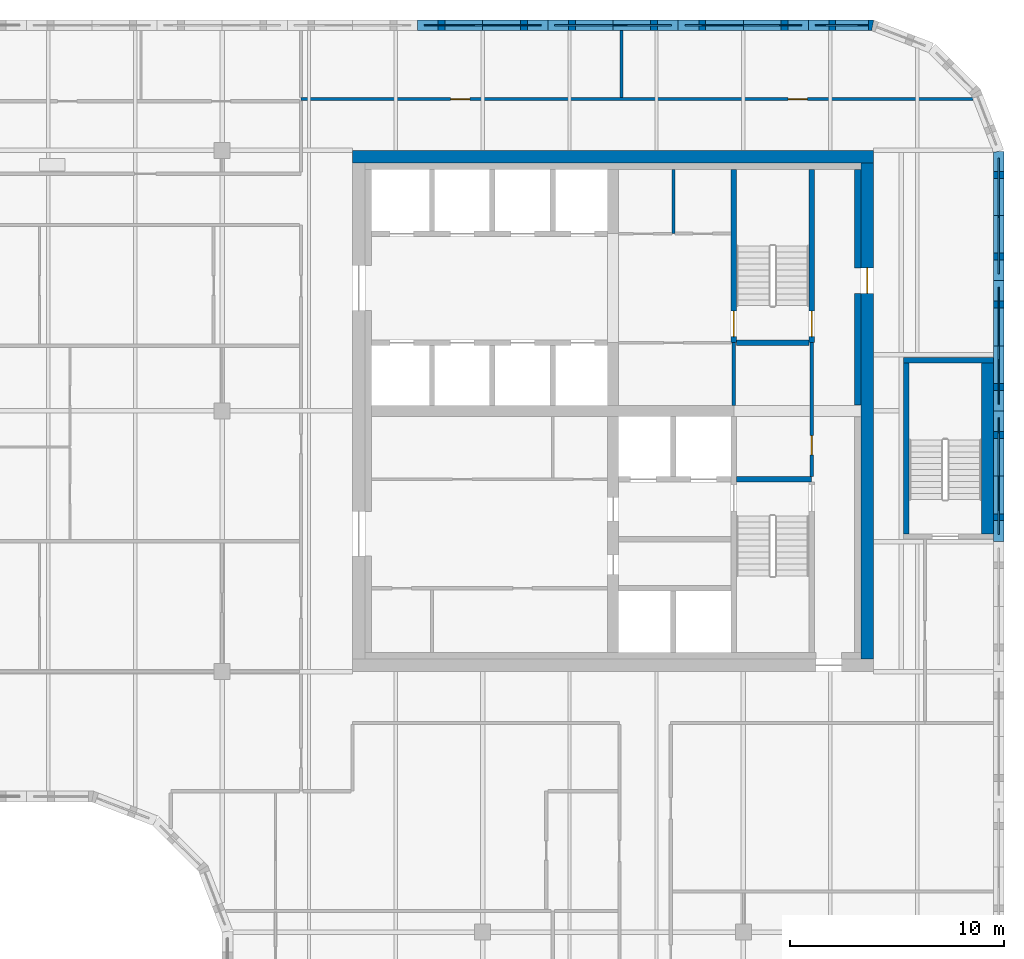
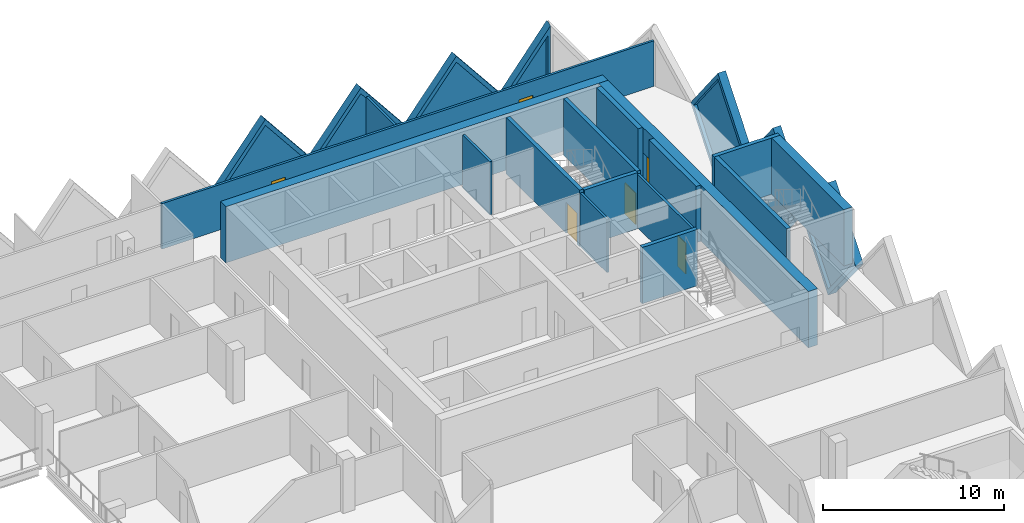
# One storey, part 9 of 12: 23 walls, 7 plates, 6 doors, 13 openings.
"""IFC4 building model written with IfcOpenShell, lengths in metres."""

from ifc_helpers import new_model, si_unit, direction, frame, frame_2d, origin, place, context, subcontext, project, spatial, polyline, rectangle, outline, extrude, faceted_brep, source, transform, mapped, material, layer, layer_set, type_object, element, fill, save


model = new_model("IFC4")

# Units and contexts
model_context = context("Model", 3, precision=1e-05, world=origin(), true_north=direction((0.0, 1.0)))
body_context = subcontext(model_context, "Body", "Model", "MODEL_VIEW")
ifc_project = project(units=[si_unit("LENGTHUNIT", "METRE"), si_unit("AREAUNIT", "SQUARE_METRE"), si_unit("VOLUMEUNIT", "CUBIC_METRE"), si_unit("PLANEANGLEUNIT", "RADIAN"), si_unit("MASSUNIT", "GRAM", prefix="KILO")], contexts=[model_context])

# Site, building, storey
site_placement = place(None, origin())
site = spatial("IfcSite", under=ifc_project, at=site_placement, CompositionType="ELEMENT")
building_placement = place(site_placement, origin())
building = spatial("IfcBuilding", under=site, at=building_placement, Name="Tessera Gate Towers", CompositionType="ELEMENT")
storey_placement = place(building_placement, frame((0.0, 0.0, 163.0)))
storey = spatial("IfcBuildingStorey", under=building, at=storey_placement, Name="L40", CompositionType="ELEMENT", Elevation=163.0)

# Wall
ifc_material_1 = material(Name="Concrete C40/50", Category="concrete")
ifc_layer_1 = layer(ifc_material_1, 0.25)
ifc_layer_set_1 = layer_set([ifc_layer_1], Name="CORE ENCLOSURE WALL 250")
wall_type_1 = type_object("IfcWallType", Name="CORE ENCLOSURE WALL 250", PredefinedType="SOLIDWALL", material=ifc_layer_set_1)
wall_1_placement = place(storey_placement, frame((48.47509765625, 33.39990234375, 0.0), z_axis=(0.0, 0.0, 1.0), x_axis=(1.0, 0.0, 0.0)))
element("IfcWall", 1, at=wall_1_placement, inside=storey, type_object=wall_type_1, Name="L40 shaft and stair enclosure wall", PredefinedType="SOLIDWALL", context=body_context, shape_type="SweptSolid", body=[
    extrude(rectangle(XDim=3.52490234375, YDim=0.25, at=frame_2d((1.762451171875, 0.0))), origin(), (0.0, 0.0, 1.0), 3.800048828125),
])

# Wall, opening, door
wall_2_placement = place(storey_placement, frame((48.35009765625, 47.89990234375, 0.0), z_axis=(0.0, 0.0, 1.0), x_axis=(0.0, -1.0, 0.0)))
wall_2 = element("IfcWall", 2, at=wall_2_placement, inside=storey, type_object=wall_type_1, Name="L40 shaft and stair enclosure wall", PredefinedType="SOLIDWALL", context=body_context, shape_type="SweptSolid", body=[
    extrude(rectangle(XDim=8.099853515625, YDim=0.25, at=frame_2d((4.0498046875, 0.0))), origin(), (0.0, 0.0, 1.0), 3.800048828125),
])
shared_shape_1 = source(origin(), body_context, "Body", "SweptSolid", [
    extrude(rectangle(XDim=1.199951171875, YDim=2.10009765625, at=frame_2d((0.60009765625, 1.050048828125))), frame((0.0, 0.135009765625, 0.0), z_axis=(0.0, -1.0, 0.0), x_axis=(1.0, 0.0, 0.0)), (0.0, 0.0, 1.0), 0.27001953125),
])
opening_1_placement = place(wall_2_placement, frame((6.625, 0.0, 0.0)))
opening_1 = element("IfcOpeningElement", 3, at=opening_1_placement, cuts=wall_2, Name="Opening SD-ST2-1", PredefinedType="OPENING", context=body_context, shape_type="MappedRepresentation", body=[
    mapped(shared_shape_1, transform((0.0, 0.0, 0.0), scale=1.0)),
])
ifc_material_2 = material(Name="Hollow steel fire door", Category="steel")
door_type_1 = type_object("IfcDoorType", Name="CORE DOOR SD 1200x2100", OperationType="NOTDEFINED", PredefinedType="DOOR", material=ifc_material_2)
shared_shape_2 = source(origin(), body_context, "Body", "SweptSolid", [
    extrude(rectangle(XDim=1.199951171875, YDim=2.10009765625, at=frame_2d((0.60009765625, 1.050048828125))), frame((0.0, 0.02490234375, 0.0), z_axis=(0.0, -1.0, 0.0), x_axis=(1.0, 0.0, 0.0)), (0.0, 0.0, 1.0), 0.050048828125),
])
door_1_placement = place(opening_1_placement, origin())
door_1 = element("IfcDoor", 4, at=door_1_placement, inside=storey, type_object=door_type_1, Name="Stair door", OperationType="SINGLE_SWING_RIGHT", OverallHeight=2.10009765625, OverallWidth=1.199951171875, PredefinedType="DOOR", context=body_context, shape_type="MappedRepresentation", body=[
    mapped(shared_shape_2, transform((0.0, 0.0, 0.0), scale=1.0)),
])
fill(opening_1, door_1)

wall_3_placement = place(storey_placement, frame((52.0, 39.800048828125, 0.0), z_axis=(0.0, 0.0, 1.0), x_axis=(0.0, 1.0, 0.0)))
wall_3 = element("IfcWall", 5, at=wall_3_placement, inside=storey, type_object=wall_type_1, Name="L40 shaft and stair enclosure wall", PredefinedType="SOLIDWALL", context=body_context, shape_type="SweptSolid", body=[
    extrude(rectangle(XDim=8.099853515625, YDim=0.25, at=frame_2d((4.0498046875, 0.0))), origin(), (0.0, 0.0, 1.0), 3.800048828125),
])
opening_2_placement = place(wall_3_placement, frame((0.27490234375, 0.0, 0.0)))
opening_2 = element("IfcOpeningElement", 6, at=opening_2_placement, cuts=wall_3, Name="Opening SD-ST2-2", PredefinedType="OPENING", context=body_context, shape_type="MappedRepresentation", body=[
    mapped(shared_shape_1, transform((0.0, 0.0, 0.0), scale=1.0)),
])
door_2_placement = place(opening_2_placement, origin())
door_2 = element("IfcDoor", 7, at=door_2_placement, inside=storey, type_object=door_type_1, Name="Stair door", OperationType="SINGLE_SWING_LEFT", OverallHeight=2.10009765625, OverallWidth=1.199951171875, PredefinedType="DOOR", context=body_context, shape_type="MappedRepresentation", body=[
    mapped(shared_shape_2, transform((0.0, 0.0, 0.0), scale=1.0)),
])
fill(opening_2, door_2)

# Walls
wall_4_placement = place(storey_placement, frame((48.47509765625, 39.800048828125, 0.0), z_axis=(0.0, 0.0, 1.0), x_axis=(1.0, 0.0, 0.0)))
element("IfcWall", 8, at=wall_4_placement, inside=storey, type_object=wall_type_1, Name="L40 shaft and stair enclosure wall", PredefinedType="SOLIDWALL", context=body_context, shape_type="SweptSolid", body=[
    extrude(rectangle(XDim=3.39990234375, YDim=0.25, at=frame_2d((1.699951171875, 0.0))), origin(), (0.0, 0.0, 1.0), 3.800048828125),
])
wall_5_placement = place(storey_placement, frame((56.425048828125, 30.85009765625, 0.0), z_axis=(0.0, 0.0, 1.0), x_axis=(0.0, 1.0, 0.0)))
element("IfcWall", 9, at=wall_5_placement, inside=storey, type_object=wall_type_1, Name="L40 ST5 enclosure wall", PredefinedType="SOLIDWALL", context=body_context, shape_type="SweptSolid", body=[
    extrude(rectangle(XDim=8.0, YDim=0.25, at=frame_2d((4.0, 0.0))), origin(), (0.0, 0.0, 1.0), 3.800048828125),
])
wall_6_placement = place(storey_placement, frame((56.300048828125, 38.97509765625, 0.0), z_axis=(0.0, 0.0, 1.0), x_axis=(1.0, 0.0, 0.0)))
element("IfcWall", 10, at=wall_6_placement, inside=storey, type_object=wall_type_1, Name="L40 ST5 enclosure wall", PredefinedType="SOLIDWALL", context=body_context, shape_type="SweptSolid", body=[
    extrude(rectangle(XDim=4.199951171875, YDim=0.25, at=frame_2d((2.10009765625, 0.0))), origin(), (0.0, 0.0, 1.0), 3.800048828125),
])
ifc_material_3 = material(Name="Concrete C40/50", Category="concrete")
ifc_layer_2 = layer(ifc_material_3, 0.550048828125)
ifc_layer_set_2 = layer_set([ifc_layer_2], Name="CORE ENCLOSURE WALL 550")
wall_type_2 = type_object("IfcWallType", Name="CORE ENCLOSURE WALL 550", PredefinedType="SOLIDWALL", material=ifc_layer_set_2)
wall_7_placement = place(storey_placement, frame((60.22509765625, 38.85009765625, 0.0), z_axis=(0.0, 0.0, 1.0), x_axis=(0.0, -1.0, 0.0)))
element("IfcWall", 11, at=wall_7_placement, inside=storey, type_object=wall_type_2, Name="L40 ST5 enclosure wall", PredefinedType="SOLIDWALL", context=body_context, shape_type="SweptSolid", body=[
    extrude(rectangle(XDim=8.0, YDim=0.550048828125, at=frame_2d((4.0, 0.0))), origin(), (0.0, 0.0, 1.0), 3.800048828125),
])
ifc_material_4 = material(Name="Concrete C50/60", Category="concrete")
ifc_layer_3 = layer(ifc_material_4, 0.60009765625)
ifc_layer_set_3 = layer_set([ifc_layer_3], Name="CORE SHEAR WALL 600 C50/60")
wall_type_3 = type_object("IfcWallType", Name="CORE SHEAR WALL 600 C50/60", PredefinedType="SHEAR", material=ifc_layer_set_3)
wall_8_placement = place(storey_placement, frame((30.5, 48.5, 0.0), z_axis=(0.0, 0.0, 1.0), x_axis=(1.0, 0.0, 0.0)))
element("IfcWall", 12, at=wall_8_placement, inside=storey, type_object=wall_type_3, Name="Core wall N L40", PredefinedType="SHEAR", context=body_context, shape_type="SweptSolid", body=[
    extrude(rectangle(XDim=24.39990234375, YDim=0.60009765625, at=frame_2d((12.199951171875, 0.0))), origin(), (0.0, 0.0, 1.0), 3.800048828125),
])

# Wall, opening, door
wall_9_placement = place(storey_placement, frame((54.60009765625, 48.199951171875, 0.0), z_axis=(0.0, 0.0, 1.0), x_axis=(0.0, -1.0, 0.0)))
wall_9 = element("IfcWall", 13, at=wall_9_placement, inside=storey, type_object=wall_type_3, Name="Core wall E L40", PredefinedType="SHEAR", context=body_context, shape_type="SweptSolid", body=[
    extrude(rectangle(XDim=23.199951171875, YDim=0.60009765625, at=frame_2d((11.60009765625, 0.0))), origin(), (0.0, 0.0, 1.0), 3.800048828125),
])
shared_shape_3 = source(origin(), body_context, "Body", "SweptSolid", [
    extrude(rectangle(XDim=1.199951171875, YDim=2.10009765625, at=frame_2d((0.60009765625, 1.050048828125))), frame((0.0, 0.31005859375, 0.0), z_axis=(0.0, -1.0, 0.0), x_axis=(1.0, 0.0, 0.0)), (0.0, 0.0, 1.0), 0.6201171875),
])
opening_3_placement = place(wall_9_placement, frame((4.89990234375, 0.0, 0.0)))
opening_3 = element("IfcOpeningElement", 14, at=opening_3_placement, cuts=wall_9, Name="Opening ED-T1-26-04", PredefinedType="OPENING", context=body_context, shape_type="MappedRepresentation", body=[
    mapped(shared_shape_3, transform((0.0, 0.0, 0.0), scale=1.0)),
])
ifc_material_5 = material(Name="Hollow steel fire door", Category="steel")
door_type_2 = type_object("IfcDoorType", Name="CORE DOOR ED 1200x2100", OperationType="NOTDEFINED", PredefinedType="DOOR", material=ifc_material_5)
door_3_placement = place(opening_3_placement, origin())
door_3 = element("IfcDoor", 15, at=door_3_placement, inside=storey, type_object=door_type_2, Name="Core exit door", OperationType="SINGLE_SWING_LEFT", OverallHeight=2.10009765625, OverallWidth=1.199951171875, PredefinedType="DOOR", context=body_context, shape_type="MappedRepresentation", body=[
    mapped(shared_shape_2, transform((0.0, 0.0, 0.0), scale=1.0)),
])
fill(opening_3, door_3)

# Walls
ifc_material_6 = material(Name="Concrete C50/60", Category="concrete")
ifc_layer_4 = layer(ifc_material_6, 0.300048828125)
ifc_layer_set_4 = layer_set([ifc_layer_4], Name="CORE WALL THICKENING 300")
wall_type_4 = type_object("IfcWallType", Name="CORE WALL THICKENING 300", PredefinedType="SOLIDWALL", material=ifc_layer_set_4)
wall_10_placement = place(storey_placement, frame((54.14990234375, 36.8798828125, 0.0), z_axis=(0.0, 0.0, 1.0), x_axis=(0.0, 1.0, 0.0)))
element("IfcWall", 16, at=wall_10_placement, inside=storey, type_object=wall_type_4, Name="Core wall thickening E L40", PredefinedType="SOLIDWALL", context=body_context, shape_type="SweptSolid", body=[
    extrude(rectangle(XDim=5.22021484375, YDim=0.300048828125, at=frame_2d((2.610107421875, 0.0))), origin(), (0.0, 0.0, 1.0), 3.800048828125),
])
wall_11_placement = place(storey_placement, frame((54.14990234375, 43.300048828125, 0.0), z_axis=(0.0, 0.0, 1.0), x_axis=(0.0, 1.0, 0.0)))
element("IfcWall", 17, at=wall_11_placement, inside=storey, type_object=wall_type_4, Name="Core wall thickening E L40", PredefinedType="SOLIDWALL", context=body_context, shape_type="SweptSolid", body=[
    extrude(rectangle(XDim=4.599853515625, YDim=0.300048828125, at=frame_2d((2.2998046875, 0.0))), origin(), (0.0, 0.0, 1.0), 3.800048828125),
])

# Wall, openings, doors
ifc_material_7 = material(Name="Gypsum board on steel studs, mineral wool", Category="steel")
ifc_layer_5 = layer(ifc_material_7, 0.14990234375)
ifc_layer_set_5 = layer_set([ifc_layer_5], Name="CORRIDOR WALL 150")
wall_type_5 = type_object("IfcWallType", Name="CORRIDOR WALL 150", PredefinedType="PARTITIONING", material=ifc_layer_set_5)
wall_12_placement = place(storey_placement, frame((28.10009765625, 51.199951171875, 0.0), z_axis=(0.0, 0.0, 1.0), x_axis=(1.0, 0.0, 0.0)))
wall_12 = element("IfcWall", 18, at=wall_12_placement, inside=storey, type_object=wall_type_5, Name="T1-L40-PW-048", PredefinedType="PARTITIONING", context=body_context, shape_type="SweptSolid", body=[
    extrude(rectangle(XDim=31.438232421875, YDim=0.14990234375, at=frame_2d((15.71923828125, 0.0))), origin(), (0.0, 0.0, 1.0), 3.06689453125),
])
shared_shape_4 = source(origin(), body_context, "Body", "SweptSolid", [
    extrude(rectangle(XDim=0.89990234375, YDim=2.10009765625, at=frame_2d((0.449951171875, 1.050048828125))), frame((0.0, 0.0849609375, 0.0), z_axis=(0.0, -1.0, 0.0), x_axis=(1.0, 0.0, 0.0)), (0.0, 0.0, 1.0), 0.169921875),
])
opening_4_placement = place(wall_12_placement, frame((7.0, 0.0, 0.0)))
opening_4 = element("IfcOpeningElement", 19, at=opening_4_placement, cuts=wall_12, Name="Opening D890FD60-A14-04", PredefinedType="OPENING", context=body_context, shape_type="MappedRepresentation", body=[
    mapped(shared_shape_4, transform((0.0, 0.0, 0.0), scale=1.0)),
])
opening_5_placement = place(wall_12_placement, frame((22.800048828125, 0.0, 0.0)))
opening_5 = element("IfcOpeningElement", 20, at=opening_5_placement, cuts=wall_12, Name="Opening D890FD60-A14-05", PredefinedType="OPENING", context=body_context, shape_type="MappedRepresentation", body=[
    mapped(shared_shape_4, transform((0.0, 0.0, 0.0), scale=1.0)),
])
ifc_material_8 = material(Name="Timber door leaf in steel frame", Category="steel")
door_type_3 = type_object("IfcDoorType", Name="CORRIDOR DOOR 900 FD60", OperationType="NOTDEFINED", PredefinedType="DOOR", material=ifc_material_8)
shared_shape_5 = source(origin(), body_context, "Body", "SweptSolid", [
    extrude(rectangle(XDim=0.89990234375, YDim=2.10009765625, at=frame_2d((0.449951171875, 1.050048828125))), frame((0.0, 0.02490234375, 0.0), z_axis=(0.0, -1.0, 0.0), x_axis=(1.0, 0.0, 0.0)), (0.0, 0.0, 1.0), 0.050048828125),
])
door_4_placement = place(opening_4_placement, origin())
door_4 = element("IfcDoor", 21, at=door_4_placement, inside=storey, type_object=door_type_3, Name="T1-L40-PD-027", OperationType="SINGLE_SWING_LEFT", OverallHeight=2.10009765625, OverallWidth=0.89990234375, PredefinedType="DOOR", context=body_context, shape_type="MappedRepresentation", body=[
    mapped(shared_shape_5, transform((0.0, 0.0, 0.0), scale=1.0)),
])
fill(opening_4, door_4)
door_5_placement = place(opening_5_placement, origin())
door_5 = element("IfcDoor", 22, at=door_5_placement, inside=storey, type_object=door_type_3, Name="T1-L40-PD-028", OperationType="SINGLE_SWING_LEFT", OverallHeight=2.10009765625, OverallWidth=0.89990234375, PredefinedType="DOOR", context=body_context, shape_type="MappedRepresentation", body=[
    mapped(shared_shape_5, transform((0.0, 0.0, 0.0), scale=1.0)),
])
fill(opening_5, door_5)

# Wall, opening, door
ifc_material_9 = material(Name="Gypsum board on steel studs", Category="steel")
ifc_layer_6 = layer(ifc_material_9, 0.14990234375)
ifc_layer_set_6 = layer_set([ifc_layer_6], Name="SERVICE ROOM WALL 150")
wall_type_6 = type_object("IfcWallType", Name="SERVICE ROOM WALL 150", PredefinedType="PARTITIONING", material=ifc_layer_set_6)
wall_13_placement = place(storey_placement, frame((52.0, 33.52490234375, 0.0), z_axis=(0.0, 0.0, 1.0), x_axis=(0.0, 1.0, 0.0)))
wall_13 = element("IfcWall", 23, at=wall_13_placement, inside=storey, type_object=wall_type_6, Name="L40 service room wall", PredefinedType="PARTITIONING", context=body_context, shape_type="SweptSolid", body=[
    extrude(rectangle(XDim=6.275146484375, YDim=0.14990234375, at=frame_2d((3.1376953125, 0.0))), origin(), (0.0, 0.0, 1.0), 3.60009765625),
])
opening_6_placement = place(wall_13_placement, frame((1.02490234375, 0.0, 0.0)))
opening_6 = element("IfcOpeningElement", 24, at=opening_6_placement, cuts=wall_13, Name="Opening RD-T1-26-11", PredefinedType="OPENING", context=body_context, shape_type="MappedRepresentation", body=[
    mapped(shared_shape_4, transform((0.0, 0.0, 0.0), scale=1.0)),
])
ifc_material_10 = material(Name="Hollow steel fire door", Category="steel")
door_type_4 = type_object("IfcDoorType", Name="CORE DOOR RD 900x2100", OperationType="NOTDEFINED", PredefinedType="DOOR", material=ifc_material_10)
door_6_placement = place(opening_6_placement, origin())
door_6 = element("IfcDoor", 25, at=door_6_placement, inside=storey, type_object=door_type_4, Name="Core room door", OperationType="SINGLE_SWING_LEFT", OverallHeight=2.10009765625, OverallWidth=0.89990234375, PredefinedType="DOOR", context=body_context, shape_type="MappedRepresentation", body=[
    mapped(shared_shape_5, transform((0.0, 0.0, 0.0), scale=1.0)),
])
fill(opening_6, door_6)

# Walls
wall_14_placement = place(storey_placement, frame((48.35009765625, 36.85009765625, 0.0), z_axis=(0.0, 0.0, 1.0), x_axis=(0.0, 1.0, 0.0)))
element("IfcWall", 26, at=wall_14_placement, inside=storey, type_object=wall_type_6, Name="L40 service room wall", PredefinedType="PARTITIONING", context=body_context, shape_type="SweptSolid", body=[
    extrude(rectangle(XDim=2.949951171875, YDim=0.14990234375, at=frame_2d((1.47509765625, 0.0))), origin(), (0.0, 0.0, 1.0), 3.60009765625),
])
wall_15_placement = place(storey_placement, frame((45.52490234375, 44.89990234375, 0.0), z_axis=(0.0, 0.0, 1.0), x_axis=(0.0, 1.0, 0.0)))
element("IfcWall", 27, at=wall_15_placement, inside=storey, type_object=wall_type_6, Name="L40 service room wall", PredefinedType="PARTITIONING", context=body_context, shape_type="SweptSolid", body=[
    extrude(rectangle(XDim=3.0, YDim=0.14990234375, at=frame_2d((1.5, 0.0))), origin(), (0.0, 0.0, 1.0), 3.60009765625),
])
ifc_material_11 = material(Name="Gypsum board on steel studs, mineral wool", Category="steel")
ifc_layer_7 = layer(ifc_material_11, 0.14990234375)
ifc_layer_set_7 = layer_set([ifc_layer_7], Name="TENANCY WALL 150")
wall_type_7 = type_object("IfcWallType", Name="TENANCY WALL 150", PredefinedType="PARTITIONING", material=ifc_layer_set_7)
wall_16_placement = place(storey_placement, frame((43.10009765625, 51.27587890625, 0.0), z_axis=(0.0, 0.0, 1.0), x_axis=(0.0, 1.0, 0.0)))
element("IfcWall", 28, at=wall_16_placement, inside=storey, type_object=wall_type_7, Name="T1-L40-PW-050", PredefinedType="PARTITIONING", context=body_context, shape_type="SweptSolid", body=[
    extrude(rectangle(XDim=3.1240234375, YDim=0.14990234375, at=frame_2d((1.56201171875, 0.0))), origin(), (0.0, 0.0, 1.0), 3.06689453125),
])

# Wall, opening, plate
ifc_material_12 = material(Name="Precast concrete C60/75 white", Category="concrete")
ifc_layer_8 = layer(ifc_material_12, 0.5)
ifc_layer_set_8 = layer_set([ifc_layer_8], Name="TS1 tessera")
wall_type_8 = type_object("IfcWallType", Name="TS1 tessera", PredefinedType="SOLIDWALL", material=ifc_layer_set_8)
shared_shape_6 = source(origin(), body_context, "Body", "Brep", [
    faceted_brep([(3.050048828125, -0.25, 0.0), (6.099853515625, -0.25, 3.7998046875), (6.099853515625, -0.25, 3.80029296875), (3.050048828125, -0.25, 7.60009765625), (0.0, -0.25, 3.800048828125), (0.0, 0.25, 3.800048828125), (3.050048828125, 0.25, 7.60009765625), (6.099853515625, 0.25, 3.80029296875), (6.099853515625, 0.25, 3.7998046875), (3.050048828125, 0.25, 0.0)], [[[0, 1, 2, 3, 4]], [[5, 6, 7, 8, 9]], [[9, 8, 1, 0]], [[7, 6, 3, 2]], [[6, 5, 4, 3]], [[5, 9, 0, 4]], [[1, 8, 7, 2]]]),
])
wall_17_placement = place(storey_placement, frame((60.75, 36.60009765625, -3.800048828125), z_axis=(0.0, 0.0, 1.0), x_axis=(0.0, 1.0, 0.0)))
wall_17 = element("IfcWall", 29, at=wall_17_placement, inside=storey, type_object=wall_type_8, Name="Precast tessera T1 TS1-0675", PredefinedType="SOLIDWALL", context=body_context, shape_type="MappedRepresentation", body=[
    mapped(shared_shape_6, transform((0.0, 0.0, 0.0), scale=1.0)),
])
shared_shape_7 = source(origin(), body_context, "Body", "SweptSolid", [
    extrude(outline(polyline([(3.050048828125, 0.3994140625), (5.779541015625, 3.800048828125), (3.050048828125, 7.20068359375), (0.320556640625, 3.800048828125), (3.050048828125, 0.3994140625)])), frame((0.0, 0.260009765625, 0.0), z_axis=(0.0, -1.0, 0.0), x_axis=(1.0, 0.0, 0.0)), (0.0, 0.0, 1.0), 0.52001953125),
])
opening_7_placement = place(wall_17_placement, origin())
opening_7 = element("IfcOpeningElement", 30, at=opening_7_placement, cuts=wall_17, Name="Opening T1-PL2-1377", PredefinedType="OPENING", context=body_context, shape_type="MappedRepresentation", body=[
    mapped(shared_shape_7, transform((0.0, 0.0, 0.0), scale=1.0)),
])
ifc_material_13 = material(Name="Low-e laminated glass", Category="glass")
ifc_layer_9 = layer(ifc_material_13, 0.06005859375)
ifc_layer_set_9 = layer_set([ifc_layer_9], Name="PL2 rhombic pane")
plate_type = type_object("IfcPlateType", Name="PL2 rhombic pane", PredefinedType="SHEET", material=ifc_layer_set_9)
shared_shape_8 = source(origin(), body_context, "Body", "SweptSolid", [
    extrude(outline(polyline([(3.050048828125, 0.3994140625), (5.779541015625, 3.800048828125), (3.050048828125, 7.20068359375), (0.320556640625, 3.800048828125), (3.050048828125, 0.3994140625)])), frame((0.0, 0.030029296875, 0.0), z_axis=(0.0, -1.0, 0.0), x_axis=(1.0, 0.0, 0.0)), (0.0, 0.0, 1.0), 0.06005859375),
])
plate_1_placement = place(opening_7_placement, origin())
plate_1 = element("IfcPlate", 31, at=plate_1_placement, inside=storey, type_object=plate_type, Name="Glass pane T1 PL2-1377", PredefinedType="SHEET", context=body_context, shape_type="MappedRepresentation", body=[
    mapped(shared_shape_8, transform((0.0, 0.0, 0.0), scale=1.0)),
])
fill(opening_7, plate_1)

wall_18_placement = place(storey_placement, frame((39.64990234375, 54.64990234375, -3.800048828125), z_axis=(0.0, 0.0, 1.0), x_axis=(-1.0, 0.0, 0.0)))
wall_18 = element("IfcWall", 32, at=wall_18_placement, inside=storey, type_object=wall_type_8, Name="Precast tessera T1 TS1-0679", PredefinedType="SOLIDWALL", context=body_context, shape_type="MappedRepresentation", body=[
    mapped(shared_shape_6, transform((0.0, 0.0, 0.0), scale=1.0)),
])
opening_8_placement = place(wall_18_placement, origin())
opening_8 = element("IfcOpeningElement", 33, at=opening_8_placement, cuts=wall_18, Name="Opening T1-PL2-1385", PredefinedType="OPENING", context=body_context, shape_type="MappedRepresentation", body=[
    mapped(shared_shape_7, transform((0.0, 0.0, 0.0), scale=1.0)),
])
plate_2_placement = place(opening_8_placement, origin())
plate_2 = element("IfcPlate", 34, at=plate_2_placement, inside=storey, type_object=plate_type, Name="Glass pane T1 PL2-1385", PredefinedType="SHEET", context=body_context, shape_type="MappedRepresentation", body=[
    mapped(shared_shape_8, transform((0.0, 0.0, 0.0), scale=1.0)),
])
fill(opening_8, plate_2)

shared_shape_9 = source(origin(), body_context, "Body", "SweptSolid", [
    extrude(outline(polyline([(3.050048828125, 0.0), (6.10009765625, 3.800048828125), (3.050048828125, 7.60009765625), (0.0, 3.800048828125), (3.050048828125, 0.0)])), frame((0.0, 0.25, 0.0), z_axis=(0.0, -1.0, 0.0), x_axis=(1.0, 0.0, 0.0)), (0.0, 0.0, 1.0), 0.5),
])
wall_19_placement = place(storey_placement, frame((60.75, 30.5, -3.800048828125), z_axis=(0.0, 0.0, 1.0), x_axis=(0.0, 1.0, 0.0)))
wall_19 = element("IfcWall", 35, at=wall_19_placement, inside=storey, type_object=wall_type_8, Name="Precast tessera T1 TS1-0674", PredefinedType="SOLIDWALL", context=body_context, shape_type="MappedRepresentation", body=[
    mapped(shared_shape_9, transform((0.0, 0.0, 0.0), scale=1.0)),
])
opening_9_placement = place(wall_19_placement, origin())
opening_9 = element("IfcOpeningElement", 36, at=opening_9_placement, cuts=wall_19, Name="Opening T1-PL2-1376", PredefinedType="OPENING", context=body_context, shape_type="MappedRepresentation", body=[
    mapped(shared_shape_7, transform((0.0, 0.0, 0.0), scale=1.0)),
])
plate_3_placement = place(opening_9_placement, origin())
plate_3 = element("IfcPlate", 37, at=plate_3_placement, inside=storey, type_object=plate_type, Name="Glass pane T1 PL2-1376", PredefinedType="SHEET", context=body_context, shape_type="MappedRepresentation", body=[
    mapped(shared_shape_8, transform((0.0, 0.0, 0.0), scale=1.0)),
])
fill(opening_9, plate_3)

wall_20_placement = place(storey_placement, frame((51.85009765625, 54.64990234375, -3.800048828125), z_axis=(0.0, 0.0, 1.0), x_axis=(-1.0, 0.0, 0.0)))
wall_20 = element("IfcWall", 38, at=wall_20_placement, inside=storey, type_object=wall_type_8, Name="Precast tessera T1 TS1-0677", PredefinedType="SOLIDWALL", context=body_context, shape_type="MappedRepresentation", body=[
    mapped(shared_shape_9, transform((0.0, 0.0, 0.0), scale=1.0)),
])
opening_10_placement = place(wall_20_placement, origin())
opening_10 = element("IfcOpeningElement", 39, at=opening_10_placement, cuts=wall_20, Name="Opening T1-PL2-1383", PredefinedType="OPENING", context=body_context, shape_type="MappedRepresentation", body=[
    mapped(shared_shape_7, transform((0.0, 0.0, 0.0), scale=1.0)),
])
plate_4_placement = place(opening_10_placement, origin())
plate_4 = element("IfcPlate", 40, at=plate_4_placement, inside=storey, type_object=plate_type, Name="Glass pane T1 PL2-1383", PredefinedType="SHEET", context=body_context, shape_type="MappedRepresentation", body=[
    mapped(shared_shape_8, transform((0.0, 0.0, 0.0), scale=1.0)),
])
fill(opening_10, plate_4)

wall_21_placement = place(storey_placement, frame((45.75, 54.64990234375, -3.800048828125), z_axis=(0.0, 0.0, 1.0), x_axis=(-1.0, 0.0, 0.0)))
wall_21 = element("IfcWall", 41, at=wall_21_placement, inside=storey, type_object=wall_type_8, Name="Precast tessera T1 TS1-0678", PredefinedType="SOLIDWALL", context=body_context, shape_type="MappedRepresentation", body=[
    mapped(shared_shape_9, transform((0.0, 0.0, 0.0), scale=1.0)),
])
opening_11_placement = place(wall_21_placement, origin())
opening_11 = element("IfcOpeningElement", 42, at=opening_11_placement, cuts=wall_21, Name="Opening T1-PL2-1384", PredefinedType="OPENING", context=body_context, shape_type="MappedRepresentation", body=[
    mapped(shared_shape_7, transform((0.0, 0.0, 0.0), scale=1.0)),
])
plate_5_placement = place(opening_11_placement, origin())
plate_5 = element("IfcPlate", 43, at=plate_5_placement, inside=storey, type_object=plate_type, Name="Glass pane T1 PL2-1384", PredefinedType="SHEET", context=body_context, shape_type="MappedRepresentation", body=[
    mapped(shared_shape_8, transform((0.0, 0.0, 0.0), scale=1.0)),
])
fill(opening_11, plate_5)

shared_shape_10 = source(origin(), body_context, "Body", "Brep", [
    faceted_brep([(3.050048828125, -0.25, 0.0), (6.053466796875, -0.25, 3.800048828125), (3.050048828125, -0.25, 7.60009765625), (0.0, -0.25, 3.800048828125), (0.0, 0.25, 3.800048828125), (3.050048828125, 0.25, 7.60009765625), (6.0068359375, 0.25, 3.85888671875), (6.0068359375, 0.25, 3.7412109375), (3.050048828125, 0.25, 0.0), (6.053466796875, 0.0, 3.800048828125)], [[[0, 1, 2, 3]], [[4, 5, 6, 7, 8]], [[8, 7, 9, 1, 0]], [[6, 5, 2, 1, 9]], [[5, 4, 3, 2]], [[4, 8, 0, 3]], [[9, 7, 6]]]),
])
wall_22_placement = place(storey_placement, frame((60.75, 42.699951171875, -3.800048828125), z_axis=(0.0, 0.0, 1.0), x_axis=(0.0, 1.0, 0.0)))
wall_22 = element("IfcWall", 44, at=wall_22_placement, inside=storey, type_object=wall_type_8, Name="Precast tessera T1 TS1-0676", PredefinedType="SOLIDWALL", context=body_context, shape_type="MappedRepresentation", body=[
    mapped(shared_shape_10, transform((0.0, 0.0, 0.0), scale=1.0)),
])
shared_shape_11 = source(origin(), body_context, "Body", "SweptSolid", [
    extrude(outline(polyline([(3.048583984375, 0.4013671875), (5.73486328125, 3.800048828125), (3.048583984375, 7.19873046875), (0.320556640625, 3.800048828125), (3.048583984375, 0.4013671875)])), frame((0.0, 0.260009765625, 0.0), z_axis=(0.0, -1.0, 0.0), x_axis=(1.0, 0.0, 0.0)), (0.0, 0.0, 1.0), 0.52001953125),
])
opening_12_placement = place(wall_22_placement, origin())
opening_12 = element("IfcOpeningElement", 45, at=opening_12_placement, cuts=wall_22, Name="Opening T1-PL2-1378", PredefinedType="OPENING", context=body_context, shape_type="MappedRepresentation", body=[
    mapped(shared_shape_11, transform((0.0, 0.0, 0.0), scale=1.0)),
])
shared_shape_12 = source(origin(), body_context, "Body", "SweptSolid", [
    extrude(outline(polyline([(3.048583984375, 0.4013671875), (5.73486328125, 3.800048828125), (3.048583984375, 7.19873046875), (0.320556640625, 3.800048828125), (3.048583984375, 0.4013671875)])), frame((0.0, 0.030029296875, 0.0), z_axis=(0.0, -1.0, 0.0), x_axis=(1.0, 0.0, 0.0)), (0.0, 0.0, 1.0), 0.06005859375),
])
plate_6_placement = place(opening_12_placement, origin())
plate_6 = element("IfcPlate", 46, at=plate_6_placement, inside=storey, type_object=plate_type, Name="Glass pane T1 PL2-1378", PredefinedType="SHEET", context=body_context, shape_type="MappedRepresentation", body=[
    mapped(shared_shape_12, transform((0.0, 0.0, 0.0), scale=1.0)),
])
fill(opening_12, plate_6)

ifc_material_14 = material(Name="Precast concrete C60/75 white", Category="concrete")
ifc_layer_10 = layer(ifc_material_14, 0.5)
ifc_layer_set_10 = layer_set([ifc_layer_10], Name="TS3 corner tessera")
wall_type_9 = type_object("IfcWallType", Name="TS3 corner tessera", PredefinedType="SOLIDWALL", material=ifc_layer_set_10)
shared_shape_13 = source(origin(), body_context, "Body", "Brep", [
    faceted_brep([(0.046630859375, -0.25, 0.0), (3.050048828125, -0.25, 3.800048828125), (0.046630859375, -0.25, 7.60009765625), (0.0, -0.25, 7.5400390625), (0.0, -0.25, 0.06005859375), (0.09326171875, 0.25, 7.541259765625), (3.050048828125, 0.25, 3.800048828125), (0.09326171875, 0.25, 0.058837890625), (0.046630859375, 0.0, 0.0), (0.046630859375, 0.0, 7.60009765625)], [[[0, 1, 2, 3, 4]], [[5, 6, 7]], [[7, 6, 1, 0, 8]], [[6, 5, 9, 2, 1]], [[3, 2, 9]], [[8, 0, 4]], [[7, 8, 4, 3, 9, 5]]]),
])
wall_23_placement = place(storey_placement, frame((54.900146484375, 54.64990234375, -3.800048828125), z_axis=(0.0, 0.0, 1.0), x_axis=(-1.0, 0.0, 0.0)))
wall_23 = element("IfcWall", 47, at=wall_23_placement, inside=storey, type_object=wall_type_9, Name="Precast corner tessera T1 TS3-0922", PredefinedType="SOLIDWALL", context=body_context, shape_type="MappedRepresentation", body=[
    mapped(shared_shape_13, transform((0.0, 0.0, 0.0), scale=1.0)),
])
shared_shape_14 = source(origin(), body_context, "Body", "SweptSolid", [
    extrude(outline(polyline([(0.24658203125, 0.65625), (2.7314453125, 3.800048828125), (0.24658203125, 6.94384765625), (0.24658203125, 0.65625)])), frame((0.0, 0.260009765625, 0.0), z_axis=(0.0, -1.0, 0.0), x_axis=(1.0, 0.0, 0.0)), (0.0, 0.0, 1.0), 0.52001953125),
])
opening_13_placement = place(wall_23_placement, origin())
opening_13 = element("IfcOpeningElement", 48, at=opening_13_placement, cuts=wall_23, Name="Opening T1-PL2-1382", PredefinedType="OPENING", context=body_context, shape_type="MappedRepresentation", body=[
    mapped(shared_shape_14, transform((0.0, 0.0, 0.0), scale=1.0)),
])
shared_shape_15 = source(origin(), body_context, "Body", "SweptSolid", [
    extrude(outline(polyline([(0.24658203125, 0.65625), (2.7314453125, 3.800048828125), (0.24658203125, 6.94384765625), (0.24658203125, 0.65625)])), frame((0.0, 0.030029296875, 0.0), z_axis=(0.0, -1.0, 0.0), x_axis=(1.0, 0.0, 0.0)), (0.0, 0.0, 1.0), 0.06005859375),
])
plate_7_placement = place(opening_13_placement, origin())
plate_7 = element("IfcPlate", 49, at=plate_7_placement, inside=storey, type_object=plate_type, Name="Glass pane T1 PL2-1382", PredefinedType="SHEET", context=body_context, shape_type="MappedRepresentation", body=[
    mapped(shared_shape_15, transform((0.0, 0.0, 0.0), scale=1.0)),
])
fill(opening_13, plate_7)

save(model, "model.ifc")
